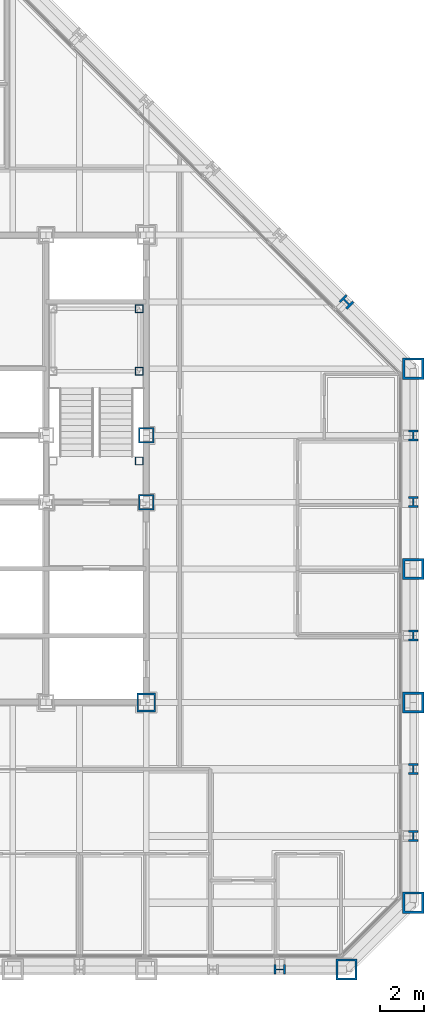
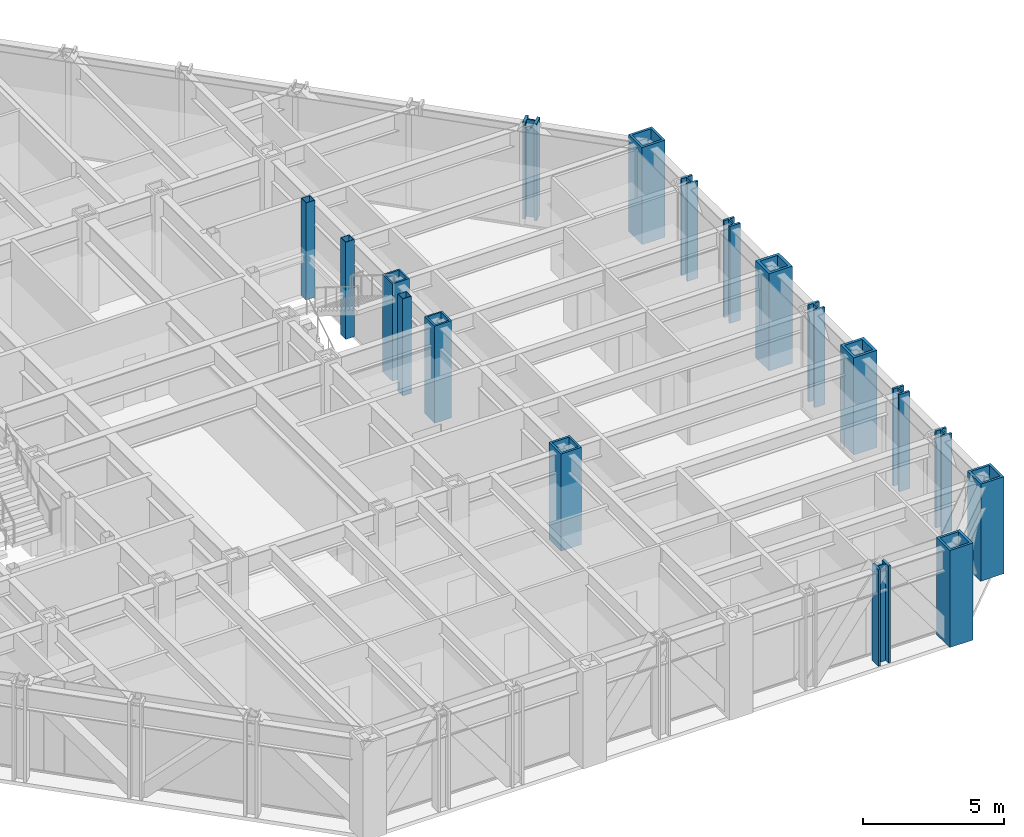
# One storey, part 2 of 16: 18 columns.
"""IFC4 building model written with IfcOpenShell, lengths in metres."""

from ifc_helpers import new_model, si_unit, direction, frame, origin, origin_2d, place, context, subcontext, project, spatial, hollow_rectangle, i_section, extrude, material, material_profile, profile_set, type_object, element, save


model = new_model("IFC4")

# Units and contexts
model_context = context("Model", 3, precision=1e-05, world=origin(), true_north=direction((0.0, 1.0)))
body_context = subcontext(model_context, "Body", "Model", "MODEL_VIEW")
ifc_project = project(units=[si_unit("LENGTHUNIT", "METRE"), si_unit("AREAUNIT", "SQUARE_METRE"), si_unit("VOLUMEUNIT", "CUBIC_METRE"), si_unit("PLANEANGLEUNIT", "RADIAN"), si_unit("MASSUNIT", "GRAM", prefix="KILO")], contexts=[model_context])

# Site, building, storey
site_placement = place(None, origin())
site = spatial("IfcSite", under=ifc_project, at=site_placement, CompositionType="ELEMENT")
building_placement = place(site_placement, origin())
building = spatial("IfcBuilding", under=site, at=building_placement, Name="Chuquiago Exchange Tower", CompositionType="ELEMENT")
storey_placement = place(building_placement, frame((0.0, 0.0, 111.0)))
storey = spatial("IfcBuildingStorey", under=building, at=storey_placement, Name="L23", CompositionType="ELEMENT", Elevation=111.0)

# Columns
ifc_material_1 = material(Name="Steel ASTM A992", Category="steel")
ifc_material_profile_1 = material_profile(ifc_material_1, i_section(OverallWidth=0.431884765625, OverallDepth=0.497802734375, WebThickness=0.0556640625, FlangeThickness=0.0888671875, at=origin_2d()), Name="W14X500")
ifc_profile_set_1 = profile_set([ifc_material_profile_1], Name="Steel ASTM A992")
column_type_1 = type_object("IfcColumnType", Name="C3 W14X500", PredefinedType="COLUMN", material=ifc_profile_set_1)
for number, where, z_axis, x_axis, name in (
    (1, (39.0, 0.0, 0.0), (0.0, 0.0, 1.0), (0.0, -1.0, 0.0), "COL-L23-39_0"),
    (2, (45.0, 6.0, 0.0), (0.0, 0.0, 1.0), (1.0, 0.0, 0.0), "COL-L23-45_6"),
    (3, (45.0, 9.0, 0.0), (0.0, 0.0, 1.0), (1.0, 0.0, 0.0), "COL-L23-45_9"),
    (4, (45.0, 15.0, 0.0), (0.0, 0.0, 1.0), (1.0, 0.0, 0.0), "COL-L23-45_15"),
    (5, (45.0, 21.0, 0.0), (0.0, 0.0, 1.0), (1.0, 0.0, 0.0), "COL-L23-45_21"),
    (6, (45.0, 24.0, 0.0), (0.0, 0.0, 1.0), (1.0, 0.0, 0.0), "COL-L23-45_24"),
):
    element("IfcColumn", number, at=place(storey_placement, frame(where, z_axis=z_axis, x_axis=x_axis)), inside=storey, type_object=column_type_1, Name=name, PredefinedType="COLUMN", context=body_context, shape_type="SweptSolid", body=[
        extrude(i_section(OverallWidth=0.431884765625, OverallDepth=0.497802734375, WebThickness=0.0556640625, FlangeThickness=0.0888671875, at=origin_2d()), origin(), (0.0, 0.0, 1.0), 4.199951171875),
    ])
ifc_material_2 = material(Name="Steel ASTM A572 Grade 50", Category="steel")
ifc_material_profile_2 = material_profile(ifc_material_2, hollow_rectangle(XDim=0.699951171875, YDim=0.699951171875, WallThickness=0.070068359375, at=origin_2d()), Name="BOX700X700X70")
ifc_profile_set_2 = profile_set([ifc_material_profile_2], Name="Steel ASTM A572 Grade 50")
column_type_2 = type_object("IfcColumnType", Name="CC3 BOX700X700X70", PredefinedType="COLUMN", material=ifc_profile_set_2)
for number, where, z_axis, x_axis, name in (
    (7, (33.0, 21.0, 0.0), (0.0, 0.0, 1.0), (1.0, 0.0, 0.0), "CCOL-L23-33_21"),
    (8, (33.0, 24.0, 0.0), (0.0, 0.0, 1.0), (1.0, 0.0, 0.0), "CCOL-L23-33_24"),
):
    element("IfcColumn", number, at=place(storey_placement, frame(where, z_axis=z_axis, x_axis=x_axis)), inside=storey, type_object=column_type_2, Name=name, PredefinedType="COLUMN", context=body_context, shape_type="SweptSolid", body=[
        extrude(hollow_rectangle(XDim=0.699951171875, YDim=0.699951171875, WallThickness=0.070068359375, at=origin_2d()), origin(), (0.0, 0.0, 1.0), 4.199951171875),
    ])
ifc_material_3 = material(Name="Steel ASTM A572 Grade 50", Category="steel")
ifc_material_profile_3 = material_profile(ifc_material_3, hollow_rectangle(XDim=0.85009765625, YDim=0.85009765625, WallThickness=0.0849609375, at=origin_2d()), Name="BOX850X850X85")
ifc_profile_set_3 = profile_set([ifc_material_profile_3], Name="Steel ASTM A572 Grade 50")
column_type_3 = type_object("IfcColumnType", Name="CC6 BOX850X850X85", PredefinedType="COLUMN", material=ifc_profile_set_3)
column_1_placement = place(storey_placement, frame((33.0, 12.0, 0.0), z_axis=(0.0, 0.0, 1.0), x_axis=(1.0, 0.0, 0.0)))
element("IfcColumn", 9, at=column_1_placement, inside=storey, type_object=column_type_3, Name="CCOL-L23-33_12", PredefinedType="COLUMN", context=body_context, shape_type="SweptSolid", body=[
    extrude(hollow_rectangle(XDim=0.85009765625, YDim=0.85009765625, WallThickness=0.0849609375, at=origin_2d()), origin(), (0.0, 0.0, 1.0), 4.199951171875),
])
ifc_material_4 = material(Name="Steel ASTM A992", Category="steel")
ifc_material_profile_4 = material_profile(ifc_material_4, i_section(OverallWidth=0.44189453125, OverallDepth=0.53076171875, WebThickness=0.06591796875, FlangeThickness=0.105712890625, at=origin_2d()), Name="W14X605")
ifc_profile_set_4 = profile_set([ifc_material_profile_4], Name="Steel ASTM A992")
column_type_4 = type_object("IfcColumnType", Name="CK3 W14X605", PredefinedType="COLUMN", material=ifc_profile_set_4)
column_2_placement = place(storey_placement, frame((42.0, 30.0, 0.0), z_axis=(0.0, 0.0, 1.0), x_axis=(0.707106781187, 0.707106781187, 0.0)))
element("IfcColumn", 10, at=column_2_placement, inside=storey, type_object=column_type_4, Name="COL-L23-42_30", PredefinedType="COLUMN", context=body_context, shape_type="SweptSolid", body=[
    extrude(i_section(OverallWidth=0.44189453125, OverallDepth=0.53076171875, WebThickness=0.06591796875, FlangeThickness=0.105712890625, at=origin_2d()), origin(), (0.0, 0.0, 1.0), 4.199951171875),
])
ifc_material_5 = material(Name="Steel ASTM A572 Grade 50", Category="steel")
ifc_material_profile_5 = material_profile(ifc_material_5, hollow_rectangle(XDim=0.949951171875, YDim=0.949951171875, WallThickness=0.094970703125, at=origin_2d()), Name="BOX950X950X95")
ifc_profile_set_5 = profile_set([ifc_material_profile_5], Name="Steel ASTM A572 Grade 50")
column_type_5 = type_object("IfcColumnType", Name="CN1 BOX950X950X95", PredefinedType="COLUMN", material=ifc_profile_set_5)
for number, where, z_axis, x_axis, name in (
    (11, (42.0, 0.0, 0.0), (0.0, 0.0, 1.0), (0.0, -1.0, 0.0), "COL-L23-42_0"),
    (12, (45.0, 3.0, 0.0), (0.0, 0.0, 1.0), (1.0, 0.0, 0.0), "COL-L23-45_3"),
    (13, (45.0, 27.0, 0.0), (0.0, 0.0, 1.0), (1.0, 0.0, 0.0), "COL-L23-45_27"),
):
    element("IfcColumn", number, at=place(storey_placement, frame(where, z_axis=z_axis, x_axis=x_axis)), inside=storey, type_object=column_type_5, Name=name, PredefinedType="COLUMN", context=body_context, shape_type="SweptSolid", body=[
        extrude(hollow_rectangle(XDim=0.949951171875, YDim=0.949951171875, WallThickness=0.094970703125, at=origin_2d()), origin(), (0.0, 0.0, 1.0), 4.199951171875),
    ])
ifc_material_6 = material(Name="Steel ASTM A572 Grade 42", Category="steel")
ifc_material_profile_6 = material_profile(ifc_material_6, hollow_rectangle(XDim=0.949951171875, YDim=0.949951171875, WallThickness=0.110107421875, at=origin_2d()), Name="BOX950X950X110")
ifc_profile_set_6 = profile_set([ifc_material_profile_6], Name="Steel ASTM A572 Grade 42")
column_type_6 = type_object("IfcColumnType", Name="CT1 BOX950X950X110", PredefinedType="COLUMN", material=ifc_profile_set_6)
for number, where, z_axis, x_axis, name in (
    (14, (45.0, 12.0, 0.0), (0.0, 0.0, 1.0), (1.0, 0.0, 0.0), "COL-L23-45_12"),
    (15, (45.0, 18.0, 0.0), (0.0, 0.0, 1.0), (1.0, 0.0, 0.0), "COL-L23-45_18"),
):
    element("IfcColumn", number, at=place(storey_placement, frame(where, z_axis=z_axis, x_axis=x_axis)), inside=storey, type_object=column_type_6, Name=name, PredefinedType="COLUMN", context=body_context, shape_type="SweptSolid", body=[
        extrude(hollow_rectangle(XDim=0.949951171875, YDim=0.949951171875, WallThickness=0.110107421875, at=origin_2d()), origin(), (0.0, 0.0, 1.0), 4.199951171875),
    ])
ifc_material_7 = material(Name="Steel ASTM A500 Grade C", Category="steel")
ifc_material_profile_7 = material_profile(ifc_material_7, hollow_rectangle(XDim=0.355712890625, YDim=0.355712890625, WallThickness=0.0146484375, at=origin_2d()), Name="HSS14X14X5/8")
ifc_profile_set_7 = profile_set([ifc_material_profile_7], Name="Steel ASTM A500 Grade C")
column_type_7 = type_object("IfcColumnType", Name="PT2 HSS14X14X5/8", PredefinedType="COLUMN", material=ifc_profile_set_7)
for number, where, z_axis, x_axis, name in (
    (16, (32.68994140625, 29.68994140625, 0.0), (0.0, 0.0, 1.0), (1.0, 0.0, 0.0), "Stair ST2 L23 landing post"),
    (17, (32.68994140625, 26.889892578125, 0.0), (0.0, 0.0, 1.0), (1.0, 0.0, 0.0), "Stair ST2 L23 landing post"),
    (18, (32.68994140625, 22.85009765625, 0.0), (0.0, 0.0, 1.0), (1.0, 0.0, 0.0), "Stair ST2 L23 landing post"),
):
    element("IfcColumn", number, at=place(storey_placement, frame(where, z_axis=z_axis, x_axis=x_axis)), inside=storey, type_object=column_type_7, Name=name, PredefinedType="COLUMN", context=body_context, shape_type="SweptSolid", body=[
        extrude(hollow_rectangle(XDim=0.355712890625, YDim=0.355712890625, WallThickness=0.0146484375, at=origin_2d()), origin(), (0.0, 0.0, 1.0), 4.199951171875),
    ])

save(model, "model.ifc")
